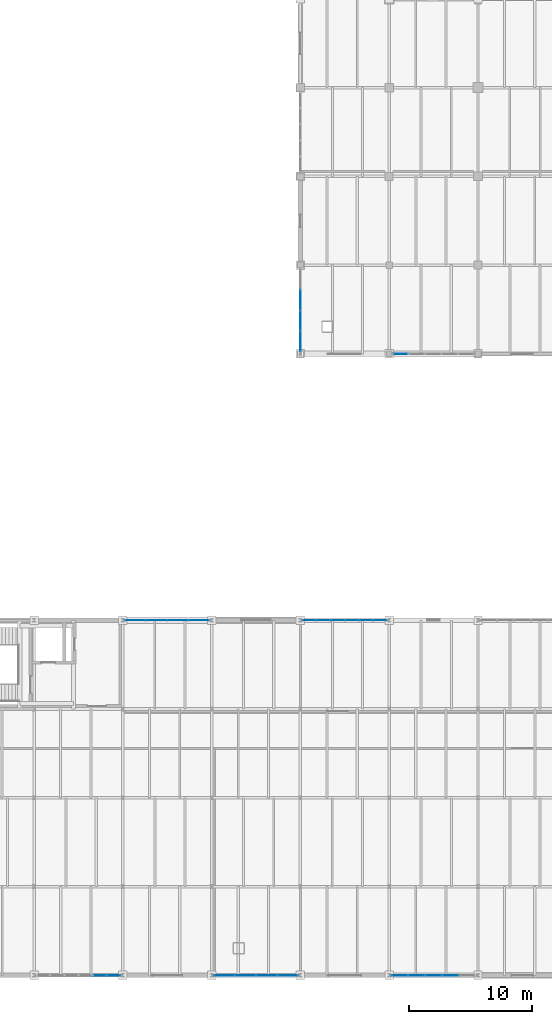
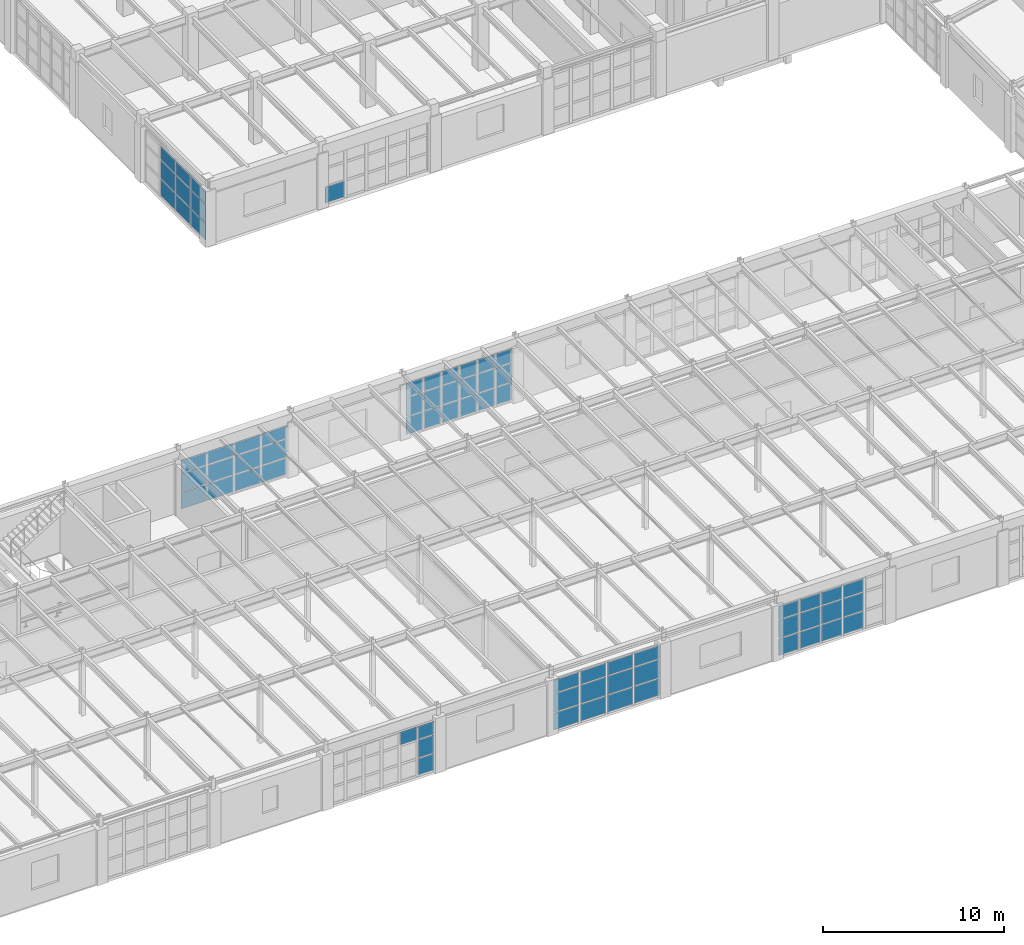
# One storey, part 112 of 137: 68 plates, 7 elements without a shape of their own.
"""IFC4 building model written with IfcOpenShell, lengths in metres."""

import ifcopenshell
import ifcopenshell.guid

model = None  # the IFC model being written
_history = None  # IfcOwnerHistory: only IFC2X3 demands one
_inside = {}  # id of a spatial element -> (the spatial element, [elements in it])
_under = {}  # id of a project, library or spatial element -> (it, [spatial elements below it])
_declared = {}  # id of a project -> (the project, [libraries it declares])
_typed = {}  # id of a type object -> (the type object, [elements of that type])
_made_of = {}  # id of a material, layer set ... -> (it, [elements and type objects made of it])


def new_model(schema):
    """Start an empty IFC model of exactly this schema.

    Asked for "IFC4X3", IfcOpenShell would pick the latest addendum, in which some entities
    have other attributes; the version numbers below select the first issue.
    IFC2X3 requires an IfcOwnerHistory on every rooted entity: one is made here for all.
    """
    global model, _history
    if schema == "IFC4X3":
        model = ifcopenshell.file(schema_version=(4, 3, 0, 0))
    else:
        model = ifcopenshell.file(schema=schema)
    _inside.clear()
    _under.clear()
    _declared.clear()
    _typed.clear()
    _made_of.clear()
    _history = None
    if model.schema == "IFC2X3":
        org = make("IfcOrganization", Name="unknown")
        user = make(
            "IfcPersonAndOrganization",
            ThePerson=make("IfcPerson", FamilyName="unknown"),
            TheOrganization=org,
        )
        app = make(
            "IfcApplication",
            ApplicationDeveloper=org,
            Version="unknown",
            ApplicationFullName="unknown",
            ApplicationIdentifier="unknown",
        )
        _history = make(
            "IfcOwnerHistory",
            OwningUser=user,
            OwningApplication=app,
            ChangeAction="ADDED",
            CreationDate=0,
        )
    return model


def make(cls, **values):
    """One entity of the class cls with the attributes given. An attribute that is None is left unset."""
    return model.create_entity(
        cls, **{name: value for name, value in values.items() if value is not None}
    )


def rooted(cls, **values):
    """An entity with a GlobalId (a new one), such as an element, a storey or a relation."""
    return make(cls, GlobalId=ifcopenshell.guid.new(), OwnerHistory=_history, **values)


def si_unit(unit_type, name, prefix=None):
    """IfcSIUnit, for example si_unit("LENGTHUNIT", "METRE", prefix="MILLI")."""
    return make("IfcSIUnit", UnitType=unit_type, Prefix=prefix, Name=name)


def assignment(units):
    """IfcUnitAssignment: the units of a project."""
    return None if units is None else make("IfcUnitAssignment", Units=units)


def point(xyz):
    """IfcCartesianPoint."""
    return None if xyz is None else make("IfcCartesianPoint", Coordinates=xyz)


def direction(xyz):
    """IfcDirection."""
    return None if xyz is None else make("IfcDirection", DirectionRatios=xyz)


def frame(location, z_axis=None, x_axis=None):
    """IfcAxis2Placement3D, a coordinate frame: its origin and axes. An axis left out is left unset."""
    return make(
        "IfcAxis2Placement3D",
        Location=point(location),
        Axis=direction(z_axis),
        RefDirection=direction(x_axis),
    )


def frame_2d(location, x_axis=None):
    """IfcAxis2Placement2D, a coordinate frame in the plane: its origin and x axis."""
    return make(
        "IfcAxis2Placement2D", Location=point(location), RefDirection=direction(x_axis)
    )


def origin():
    """The frame at (0, 0, 0) with its axes left unset."""
    return frame((0.0, 0.0, 0.0))


def origin_2d():
    """The frame at (0, 0) in the plane with its x axis left unset."""
    return frame_2d((0.0, 0.0))


def place(relative_to, where):
    """IfcLocalPlacement: puts the frame where relative to a parent placement (None: the world)."""
    return make(
        "IfcLocalPlacement", PlacementRelTo=relative_to, RelativePlacement=where
    )


def context(
    kind, dimensions, precision=None, world=None, true_north=None, identifier=None
):
    """IfcGeometricRepresentationContext, for example the 3D "Model" context."""
    return make(
        "IfcGeometricRepresentationContext",
        ContextIdentifier=identifier,
        ContextType=kind,
        CoordinateSpaceDimension=dimensions,
        Precision=precision,
        WorldCoordinateSystem=world,
        TrueNorth=true_north,
    )


def subcontext(parent, identifier, kind, view, scale=None):
    """IfcGeometricRepresentationSubContext, for example "Body" below "Model"."""
    return make(
        "IfcGeometricRepresentationSubContext",
        ContextIdentifier=identifier,
        ContextType=kind,
        ParentContext=parent,
        TargetScale=scale,
        TargetView=view,
    )


def project(units=None, contexts=None):
    """IfcProject with its units and contexts."""
    return rooted(
        "IfcProject",
        Name="project",
        RepresentationContexts=contexts,
        UnitsInContext=assignment(units),
    )


def spatial(cls, under=None, at=None, **own):
    """A site, building, storey or space (cls), placed at a placement, below another one or the project."""
    s = rooted(cls, ObjectPlacement=at, **own)
    if under is not None:
        _under.setdefault(under.id(), (under, []))[1].append(s)
    return s


def profile(cls, at=None, kind="AREA", **sizes):
    """A parametric profile (cls). Its sizes go by their IFC names, for example OverallWidth=200.0."""
    return make(cls, ProfileType=kind, Position=at, **sizes)


def rectangle(**sizes):
    """IfcRectangleProfileDef."""
    return profile("IfcRectangleProfileDef", **sizes)


def extrude(swept, where, along, depth):
    """IfcExtrudedAreaSolid: the profile swept, set in the frame where, extruded along a direction by depth."""
    return make(
        "IfcExtrudedAreaSolid",
        SweptArea=swept,
        Position=where,
        ExtrudedDirection=direction(along),
        Depth=depth,
    )


def shape(context_of_items, identifier, shape_type, items):
    """IfcShapeRepresentation: the items that make up one representation, for example the "Body"."""
    return make(
        "IfcShapeRepresentation",
        ContextOfItems=context_of_items,
        RepresentationIdentifier=identifier,
        RepresentationType=shape_type,
        Items=items,
    )


def material(Name=None, Category=None):
    """IfcMaterial."""
    return make("IfcMaterial", Name=Name, Category=Category)


def layer(
    of_material, thickness, ventilated=None, Name=None, Category=None, Priority=None
):
    """IfcMaterialLayer: one layer of a wall or slab, of a material (None: an air gap)."""
    return make(
        "IfcMaterialLayer",
        Material=of_material,
        LayerThickness=thickness,
        IsVentilated=ventilated,
        Name=Name,
        Category=Category,
        Priority=Priority,
    )


def layer_set(layers, Name=None):
    """IfcMaterialLayerSet."""
    return make("IfcMaterialLayerSet", MaterialLayers=layers, LayerSetName=Name)


def made_of(thing, what):
    """Note that an element or type object is made of a material, layer set ...; save() writes the relation."""
    if what is not None:
        _made_of.setdefault(what.id(), (what, []))[1].append(thing)
    return thing


def type_object(cls, material=None, **own):
    """A type object (cls), such as IfcWallType, which elements share."""
    return made_of(rooted(cls, **own), material)


def element(
    cls,
    number,
    at=None,
    inside=None,
    cuts=None,
    type_object=None,
    material=None,
    context=None,
    identifier="Body",
    shape_type=None,
    held_by="IfcProductDefinitionShape",
    body=None,
    shapes=None,
    **own,
):
    """One element of the class cls, such as IfcWall. Its Tag is "e" and its number.

    at: its placement. inside: the storey or other place that contains it. cuts: it is an
    opening in that element (IfcRelVoidsElement). A single representation is given by context,
    identifier, shape_type and body (its items); several are given by shapes. held_by: the class
    of the entity that holds the representations. save() writes the other relations.
    """
    e = rooted(cls, Tag="e%d" % number, ObjectPlacement=at, **own)
    if body is not None:
        shapes = [shape(context, identifier, shape_type, body)]
    if shapes is not None:
        e.Representation = make(held_by, Representations=shapes)
    if inside is not None:
        _inside.setdefault(inside.id(), (inside, []))[1].append(e)
    if cuts is not None:
        rooted(
            "IfcRelVoidsElement", RelatingBuildingElement=cuts, RelatedOpeningElement=e
        )
    if type_object is not None:
        _typed.setdefault(type_object.id(), (type_object, []))[1].append(e)
    return made_of(e, material)


def aggregate(whole, parts):
    """IfcRelAggregates: a whole, such as a stair, and the parts it consists of."""
    return rooted("IfcRelAggregates", RelatingObject=whole, RelatedObjects=parts)


def save(model, path):
    """Write the relations noted so far, then the file.

    IfcRelAggregates (storeys below a building ...), IfcRelContainedInSpatialStructure (elements
    in a storey), IfcRelDefinesByType, IfcRelAssociatesMaterial and IfcRelDeclares: one each for
    every whole, place, type object, material and project.
    """
    for whole, parts in _under.values():
        aggregate(whole, parts)
    for where, things in _inside.values():
        rooted(
            "IfcRelContainedInSpatialStructure",
            RelatedElements=things,
            RelatingStructure=where,
        )
    for kind, things in _typed.values():
        rooted("IfcRelDefinesByType", RelatedObjects=things, RelatingType=kind)
    for what, things in _made_of.values():
        rooted("IfcRelAssociatesMaterial", RelatedObjects=things, RelatingMaterial=what)
    for by, libraries in _declared.values():
        rooted("IfcRelDeclares", RelatingContext=by, RelatedDefinitions=libraries)
    model.write(path)


model = new_model("IFC4")

# Units and contexts
model_context = context("Model", 3, precision=1e-05, world=origin(), true_north=direction((0.0, 1.0)))
body_context = subcontext(model_context, "Body", "Model", "MODEL_VIEW")
ifc_project = project(units=[si_unit("LENGTHUNIT", "METRE"), si_unit("AREAUNIT", "SQUARE_METRE"), si_unit("VOLUMEUNIT", "CUBIC_METRE"), si_unit("PLANEANGLEUNIT", "RADIAN"), si_unit("MASSUNIT", "GRAM", prefix="KILO")], contexts=[model_context])

# Site, building, storey
site_placement = place(None, origin())
site = spatial("IfcSite", under=ifc_project, at=site_placement, CompositionType="ELEMENT")
building_placement = place(site_placement, origin())
building = spatial("IfcBuilding", under=site, at=building_placement, Name="Kemerveld Promenade Tramway Depot", CompositionType="ELEMENT")
storey_placement = place(building_placement, frame((0.0, 0.0, 5.39990234375)))
storey = spatial("IfcBuildingStorey", under=building, at=storey_placement, Name="L01", CompositionType="ELEMENT", Elevation=5.39990234375)

# Curtain wall, plates
ifc_material_1 = material(Name="Bronze anodised aluminium and solar glass", Category="aluminium")
ifc_layer_1 = layer(ifc_material_1, 0.199951171875)
ifc_layer_set_1 = layer_set([ifc_layer_1], Name="CW-SYS-10")
curtain_wall_type_1 = type_object("IfcCurtainWallType", Name="CW-SYS-10", PredefinedType="USERDEFINED", material=ifc_layer_set_1)
curtain_wall_1_placement = place(storey_placement, origin())
curtain_wall_1 = element("IfcCurtainWall", 1, at=curtain_wall_1_placement, inside=storey, type_object=curtain_wall_type_1, Name="CW-L01-V4S-07", ObjectType="GLAZED_CURTAIN_WALL", PredefinedType="USERDEFINED")
ifc_material_2 = material(Name="Solar-control laminated double glazing", Category="glass")
ifc_layer_2 = layer(ifc_material_2, 0.028076171875)
ifc_layer_set_2 = layer_set([ifc_layer_2], Name="CW-PNL-02")
plate_type_1 = type_object("IfcPlateType", Name="CW-PNL-02", PredefinedType="CURTAIN_PANEL", material=ifc_layer_set_2)
plate_1_placement = place(storey_placement, frame((114.168701171875, 0.0, 0.065185546875), z_axis=(0.0, 0.0, 1.0), x_axis=(-1.0, 0.0, 0.0)))
plate_1 = element("IfcPlate", 2, at=plate_1_placement, type_object=plate_type_1, Name="CW10 panel 1.1", PredefinedType="CURTAIN_PANEL", context=body_context, shape_type="SweptSolid", body=[
    extrude(rectangle(XDim=1.612548828125, YDim=0.028076171875, at=origin_2d()), origin(), (0.0, 0.0, 1.0), 1.12841796875),
])
plate_2_placement = place(storey_placement, frame((114.168701171875, 0.0, 1.258544921875), z_axis=(0.0, 0.0, 1.0), x_axis=(-1.0, 0.0, 0.0)))
plate_2 = element("IfcPlate", 3, at=plate_2_placement, type_object=plate_type_1, Name="CW10 panel 1.2", PredefinedType="CURTAIN_PANEL", context=body_context, shape_type="SweptSolid", body=[
    extrude(rectangle(XDim=1.612548828125, YDim=0.028076171875, at=origin_2d()), origin(), (0.0, 0.0, 1.0), 1.23095703125),
])
plate_3_placement = place(storey_placement, frame((114.168701171875, 0.0, 2.5546875), z_axis=(0.0, 0.0, 1.0), x_axis=(-1.0, 0.0, 0.0)))
plate_3 = element("IfcPlate", 4, at=plate_3_placement, type_object=plate_type_1, Name="CW10 panel 1.3", PredefinedType="CURTAIN_PANEL", context=body_context, shape_type="SweptSolid", body=[
    extrude(rectangle(XDim=1.612548828125, YDim=0.028076171875, at=origin_2d()), origin(), (0.0, 0.0, 1.0), 0.88330078125),
])
plate_4_placement = place(storey_placement, frame((112.46240234375, 0.0, 0.065185546875), z_axis=(0.0, 0.0, 1.0), x_axis=(-1.0, 0.0, 0.0)))
plate_4 = element("IfcPlate", 5, at=plate_4_placement, type_object=plate_type_1, Name="CW10 panel 2.1", PredefinedType="CURTAIN_PANEL", context=body_context, shape_type="SweptSolid", body=[
    extrude(rectangle(XDim=1.64990234375, YDim=0.028076171875, at=origin_2d()), origin(), (0.0, 0.0, 1.0), 1.12841796875),
])
plate_5_placement = place(storey_placement, frame((112.46240234375, 0.0, 1.258544921875), z_axis=(0.0, 0.0, 1.0), x_axis=(-1.0, 0.0, 0.0)))
plate_5 = element("IfcPlate", 6, at=plate_5_placement, type_object=plate_type_1, Name="CW10 panel 2.2", PredefinedType="CURTAIN_PANEL", context=body_context, shape_type="SweptSolid", body=[
    extrude(rectangle(XDim=1.64990234375, YDim=0.028076171875, at=origin_2d()), origin(), (0.0, 0.0, 1.0), 1.23095703125),
])
plate_6_placement = place(storey_placement, frame((112.46240234375, 0.0, 2.5546875), z_axis=(0.0, 0.0, 1.0), x_axis=(-1.0, 0.0, 0.0)))
plate_6 = element("IfcPlate", 7, at=plate_6_placement, type_object=plate_type_1, Name="CW10 panel 2.3", PredefinedType="CURTAIN_PANEL", context=body_context, shape_type="SweptSolid", body=[
    extrude(rectangle(XDim=1.64990234375, YDim=0.028076171875, at=origin_2d()), origin(), (0.0, 0.0, 1.0), 0.88330078125),
])
plate_7_placement = place(storey_placement, frame((110.737548828125, 0.0, 0.065185546875), z_axis=(0.0, 0.0, 1.0), x_axis=(-1.0, 0.0, 0.0)))
plate_7 = element("IfcPlate", 8, at=plate_7_placement, type_object=plate_type_1, Name="CW10 panel 3.1", PredefinedType="CURTAIN_PANEL", context=body_context, shape_type="SweptSolid", body=[
    extrude(rectangle(XDim=1.64990234375, YDim=0.028076171875, at=origin_2d()), origin(), (0.0, 0.0, 1.0), 1.12841796875),
])
plate_8_placement = place(storey_placement, frame((110.737548828125, 0.0, 1.258544921875), z_axis=(0.0, 0.0, 1.0), x_axis=(-1.0, 0.0, 0.0)))
plate_8 = element("IfcPlate", 9, at=plate_8_placement, type_object=plate_type_1, Name="CW10 panel 3.2", PredefinedType="CURTAIN_PANEL", context=body_context, shape_type="SweptSolid", body=[
    extrude(rectangle(XDim=1.64990234375, YDim=0.028076171875, at=origin_2d()), origin(), (0.0, 0.0, 1.0), 1.23095703125),
])
plate_9_placement = place(storey_placement, frame((110.737548828125, 0.0, 2.5546875), z_axis=(0.0, 0.0, 1.0), x_axis=(-1.0, 0.0, 0.0)))
plate_9 = element("IfcPlate", 10, at=plate_9_placement, type_object=plate_type_1, Name="CW10 panel 3.3", PredefinedType="CURTAIN_PANEL", context=body_context, shape_type="SweptSolid", body=[
    extrude(rectangle(XDim=1.64990234375, YDim=0.028076171875, at=origin_2d()), origin(), (0.0, 0.0, 1.0), 0.88330078125),
])
plate_10_placement = place(storey_placement, frame((109.03125, 0.0, 0.065185546875), z_axis=(0.0, 0.0, 1.0), x_axis=(-1.0, 0.0, 0.0)))
plate_10 = element("IfcPlate", 11, at=plate_10_placement, type_object=plate_type_1, Name="CW10 panel 4.1", PredefinedType="CURTAIN_PANEL", context=body_context, shape_type="SweptSolid", body=[
    extrude(rectangle(XDim=1.612548828125, YDim=0.028076171875, at=origin_2d()), origin(), (0.0, 0.0, 1.0), 1.12841796875),
])
plate_11_placement = place(storey_placement, frame((109.03125, 0.0, 1.258544921875), z_axis=(0.0, 0.0, 1.0), x_axis=(-1.0, 0.0, 0.0)))
plate_11 = element("IfcPlate", 12, at=plate_11_placement, type_object=plate_type_1, Name="CW10 panel 4.2", PredefinedType="CURTAIN_PANEL", context=body_context, shape_type="SweptSolid", body=[
    extrude(rectangle(XDim=1.612548828125, YDim=0.028076171875, at=origin_2d()), origin(), (0.0, 0.0, 1.0), 1.23095703125),
])
plate_12_placement = place(storey_placement, frame((109.03125, 0.0, 2.5546875), z_axis=(0.0, 0.0, 1.0), x_axis=(-1.0, 0.0, 0.0)))
plate_12 = element("IfcPlate", 13, at=plate_12_placement, type_object=plate_type_1, Name="CW10 panel 4.3", PredefinedType="CURTAIN_PANEL", context=body_context, shape_type="SweptSolid", body=[
    extrude(rectangle(XDim=1.612548828125, YDim=0.028076171875, at=origin_2d()), origin(), (0.0, 0.0, 1.0), 0.88330078125),
])
aggregate(curtain_wall_1, [plate_1, plate_2, plate_3, plate_4, plate_5, plate_6, plate_7, plate_8, plate_9, plate_10, plate_11, plate_12])

curtain_wall_2_placement = place(storey_placement, origin())
curtain_wall_2 = element("IfcCurtainWall", 14, at=curtain_wall_2_placement, inside=storey, type_object=curtain_wall_type_1, Name="CW-L01-V4N-07", ObjectType="GLAZED_CURTAIN_WALL", PredefinedType="USERDEFINED")
plate_13_placement = place(storey_placement, frame((101.831298828125, 28.800048828125, 0.065185546875), z_axis=(0.0, 0.0, 1.0), x_axis=(1.0, 0.0, 0.0)))
plate_13 = element("IfcPlate", 15, at=plate_13_placement, type_object=plate_type_1, Name="CW10 panel 1.1", PredefinedType="CURTAIN_PANEL", context=body_context, shape_type="SweptSolid", body=[
    extrude(rectangle(XDim=1.612548828125, YDim=0.028076171875, at=origin_2d()), origin(), (0.0, 0.0, 1.0), 1.103515625),
])
plate_14_placement = place(storey_placement, frame((101.831298828125, 28.800048828125, 1.233642578125), z_axis=(0.0, 0.0, 1.0), x_axis=(1.0, 0.0, 0.0)))
plate_14 = element("IfcPlate", 16, at=plate_14_placement, type_object=plate_type_1, Name="CW10 panel 1.2", PredefinedType="CURTAIN_PANEL", context=body_context, shape_type="SweptSolid", body=[
    extrude(rectangle(XDim=1.612548828125, YDim=0.028076171875, at=origin_2d()), origin(), (0.0, 0.0, 1.0), 1.2041015625),
])
plate_15_placement = place(storey_placement, frame((101.831298828125, 28.800048828125, 2.50244140625), z_axis=(0.0, 0.0, 1.0), x_axis=(1.0, 0.0, 0.0)))
plate_15 = element("IfcPlate", 17, at=plate_15_placement, type_object=plate_type_1, Name="CW10 panel 1.3", PredefinedType="CURTAIN_PANEL", context=body_context, shape_type="SweptSolid", body=[
    extrude(rectangle(XDim=1.612548828125, YDim=0.028076171875, at=origin_2d()), origin(), (0.0, 0.0, 1.0), 0.862548828125),
])
plate_16_placement = place(storey_placement, frame((103.53759765625, 28.800048828125, 0.065185546875), z_axis=(0.0, 0.0, 1.0), x_axis=(1.0, 0.0, 0.0)))
plate_16 = element("IfcPlate", 18, at=plate_16_placement, type_object=plate_type_1, Name="CW10 panel 2.1", PredefinedType="CURTAIN_PANEL", context=body_context, shape_type="SweptSolid", body=[
    extrude(rectangle(XDim=1.64990234375, YDim=0.028076171875, at=origin_2d()), origin(), (0.0, 0.0, 1.0), 1.103515625),
])
plate_17_placement = place(storey_placement, frame((103.53759765625, 28.800048828125, 1.233642578125), z_axis=(0.0, 0.0, 1.0), x_axis=(1.0, 0.0, 0.0)))
plate_17 = element("IfcPlate", 19, at=plate_17_placement, type_object=plate_type_1, Name="CW10 panel 2.2", PredefinedType="CURTAIN_PANEL", context=body_context, shape_type="SweptSolid", body=[
    extrude(rectangle(XDim=1.64990234375, YDim=0.028076171875, at=origin_2d()), origin(), (0.0, 0.0, 1.0), 1.2041015625),
])
plate_18_placement = place(storey_placement, frame((103.53759765625, 28.800048828125, 2.50244140625), z_axis=(0.0, 0.0, 1.0), x_axis=(1.0, 0.0, 0.0)))
plate_18 = element("IfcPlate", 20, at=plate_18_placement, type_object=plate_type_1, Name="CW10 panel 2.3", PredefinedType="CURTAIN_PANEL", context=body_context, shape_type="SweptSolid", body=[
    extrude(rectangle(XDim=1.64990234375, YDim=0.028076171875, at=origin_2d()), origin(), (0.0, 0.0, 1.0), 0.862548828125),
])
plate_19_placement = place(storey_placement, frame((105.262451171875, 28.800048828125, 0.065185546875), z_axis=(0.0, 0.0, 1.0), x_axis=(1.0, 0.0, 0.0)))
plate_19 = element("IfcPlate", 21, at=plate_19_placement, type_object=plate_type_1, Name="CW10 panel 3.1", PredefinedType="CURTAIN_PANEL", context=body_context, shape_type="SweptSolid", body=[
    extrude(rectangle(XDim=1.64990234375, YDim=0.028076171875, at=origin_2d()), origin(), (0.0, 0.0, 1.0), 1.103515625),
])
plate_20_placement = place(storey_placement, frame((105.262451171875, 28.800048828125, 1.233642578125), z_axis=(0.0, 0.0, 1.0), x_axis=(1.0, 0.0, 0.0)))
plate_20 = element("IfcPlate", 22, at=plate_20_placement, type_object=plate_type_1, Name="CW10 panel 3.2", PredefinedType="CURTAIN_PANEL", context=body_context, shape_type="SweptSolid", body=[
    extrude(rectangle(XDim=1.64990234375, YDim=0.028076171875, at=origin_2d()), origin(), (0.0, 0.0, 1.0), 1.2041015625),
])
plate_21_placement = place(storey_placement, frame((105.262451171875, 28.800048828125, 2.50244140625), z_axis=(0.0, 0.0, 1.0), x_axis=(1.0, 0.0, 0.0)))
plate_21 = element("IfcPlate", 23, at=plate_21_placement, type_object=plate_type_1, Name="CW10 panel 3.3", PredefinedType="CURTAIN_PANEL", context=body_context, shape_type="SweptSolid", body=[
    extrude(rectangle(XDim=1.64990234375, YDim=0.028076171875, at=origin_2d()), origin(), (0.0, 0.0, 1.0), 0.862548828125),
])
plate_22_placement = place(storey_placement, frame((106.96875, 28.800048828125, 0.065185546875), z_axis=(0.0, 0.0, 1.0), x_axis=(1.0, 0.0, 0.0)))
plate_22 = element("IfcPlate", 24, at=plate_22_placement, type_object=plate_type_1, Name="CW10 panel 4.1", PredefinedType="CURTAIN_PANEL", context=body_context, shape_type="SweptSolid", body=[
    extrude(rectangle(XDim=1.612548828125, YDim=0.028076171875, at=origin_2d()), origin(), (0.0, 0.0, 1.0), 1.103515625),
])
plate_23_placement = place(storey_placement, frame((106.96875, 28.800048828125, 1.233642578125), z_axis=(0.0, 0.0, 1.0), x_axis=(1.0, 0.0, 0.0)))
plate_23 = element("IfcPlate", 25, at=plate_23_placement, type_object=plate_type_1, Name="CW10 panel 4.2", PredefinedType="CURTAIN_PANEL", context=body_context, shape_type="SweptSolid", body=[
    extrude(rectangle(XDim=1.612548828125, YDim=0.028076171875, at=origin_2d()), origin(), (0.0, 0.0, 1.0), 1.2041015625),
])
plate_24_placement = place(storey_placement, frame((106.96875, 28.800048828125, 2.50244140625), z_axis=(0.0, 0.0, 1.0), x_axis=(1.0, 0.0, 0.0)))
plate_24 = element("IfcPlate", 26, at=plate_24_placement, type_object=plate_type_1, Name="CW10 panel 4.3", PredefinedType="CURTAIN_PANEL", context=body_context, shape_type="SweptSolid", body=[
    extrude(rectangle(XDim=1.612548828125, YDim=0.028076171875, at=origin_2d()), origin(), (0.0, 0.0, 1.0), 0.862548828125),
])
aggregate(curtain_wall_2, [plate_13, plate_14, plate_15, plate_16, plate_17, plate_18, plate_19, plate_20, plate_21, plate_22, plate_23, plate_24])

ifc_layer_3 = layer(ifc_material_1, 0.199951171875)
ifc_layer_set_3 = layer_set([ifc_layer_3], Name="CW-SYS-12")
curtain_wall_type_2 = type_object("IfcCurtainWallType", Name="CW-SYS-12", PredefinedType="USERDEFINED", material=ifc_layer_set_3)
curtain_wall_3_placement = place(storey_placement, origin())
curtain_wall_3 = element("IfcCurtainWall", 27, at=curtain_wall_3_placement, inside=storey, type_object=curtain_wall_type_2, Name="CW-L01-V4S-09", ObjectType="GLAZED_CURTAIN_WALL", PredefinedType="USERDEFINED")
ifc_layer_4 = layer(ifc_material_2, 0.031982421875)
ifc_layer_set_4 = layer_set([ifc_layer_4], Name="CW-PNL-04")
plate_type_2 = type_object("IfcPlateType", Name="CW-PNL-04", PredefinedType="CURTAIN_PANEL", material=ifc_layer_set_4)
plate_25_placement = place(storey_placement, frame((100.05615234375, 0.0, 0.06494140625), z_axis=(0.0, 0.0, 1.0), x_axis=(-1.0, 0.0, 0.0)))
plate_25 = element("IfcPlate", 28, at=plate_25_placement, type_object=plate_type_2, Name="CW12 panel 1.1", PredefinedType="CURTAIN_PANEL", context=body_context, shape_type="SweptSolid", body=[
    extrude(rectangle(XDim=1.037353515625, YDim=0.031982421875, at=origin_2d()), origin(), (0.0, 0.0, 1.0), 1.097412109375),
])
plate_26_placement = place(storey_placement, frame((100.05615234375, 0.0, 1.2275390625), z_axis=(0.0, 0.0, 1.0), x_axis=(-1.0, 0.0, 0.0)))
plate_26 = element("IfcPlate", 29, at=plate_26_placement, type_object=plate_type_2, Name="CW12 panel 1.2", PredefinedType="CURTAIN_PANEL", context=body_context, shape_type="SweptSolid", body=[
    extrude(rectangle(XDim=1.037353515625, YDim=0.031982421875, at=origin_2d()), origin(), (0.0, 0.0, 1.0), 1.197998046875),
])
plate_27_placement = place(storey_placement, frame((100.05615234375, 0.0, 2.49072265625), z_axis=(0.0, 0.0, 1.0), x_axis=(-1.0, 0.0, 0.0)))
plate_27 = element("IfcPlate", 30, at=plate_27_placement, type_object=plate_type_2, Name="CW12 panel 1.3", PredefinedType="CURTAIN_PANEL", context=body_context, shape_type="SweptSolid", body=[
    extrude(rectangle(XDim=1.037353515625, YDim=0.031982421875, at=origin_2d()), origin(), (0.0, 0.0, 1.0), 0.858642578125),
])
plate_28_placement = place(storey_placement, frame((98.925048828125, 0.0, 2.49072265625), z_axis=(0.0, 0.0, 1.0), x_axis=(-1.0, 0.0, 0.0)))
plate_28 = element("IfcPlate", 31, at=plate_28_placement, type_object=plate_type_2, Name="CW12 panel 2.3", PredefinedType="CURTAIN_PANEL", context=body_context, shape_type="SweptSolid", body=[
    extrude(rectangle(XDim=1.074951171875, YDim=0.031982421875, at=origin_2d()), origin(), (0.0, 0.0, 1.0), 0.858642578125),
])
aggregate(curtain_wall_3, [plate_25, plate_26, plate_27, plate_28])

curtain_wall_4_placement = place(storey_placement, origin())
curtain_wall_4 = element("IfcCurtainWall", 32, at=curtain_wall_4_placement, inside=storey, type_object=curtain_wall_type_2, Name="CW-L01-V4N-09", ObjectType="GLAZED_CURTAIN_WALL", PredefinedType="USERDEFINED")
plate_29_placement = place(storey_placement, frame((115.94384765625, 28.800048828125, 0.06494140625), z_axis=(0.0, 0.0, 1.0), x_axis=(1.0, 0.0, 0.0)))
plate_29 = element("IfcPlate", 33, at=plate_29_placement, type_object=plate_type_2, Name="CW12 panel 1.1", PredefinedType="CURTAIN_PANEL", context=body_context, shape_type="SweptSolid", body=[
    extrude(rectangle(XDim=1.037353515625, YDim=0.031982421875, at=origin_2d()), origin(), (0.0, 0.0, 1.0), 1.155517578125),
])
plate_30_placement = place(storey_placement, frame((115.94384765625, 28.800048828125, 1.28564453125), z_axis=(0.0, 0.0, 1.0), x_axis=(1.0, 0.0, 0.0)))
plate_30 = element("IfcPlate", 34, at=plate_30_placement, type_object=plate_type_2, Name="CW12 panel 1.2", PredefinedType="CURTAIN_PANEL", context=body_context, shape_type="SweptSolid", body=[
    extrude(rectangle(XDim=1.037353515625, YDim=0.031982421875, at=origin_2d()), origin(), (0.0, 0.0, 1.0), 1.260009765625),
])
plate_31_placement = place(storey_placement, frame((115.94384765625, 28.800048828125, 2.6103515625), z_axis=(0.0, 0.0, 1.0), x_axis=(1.0, 0.0, 0.0)))
plate_31 = element("IfcPlate", 35, at=plate_31_placement, type_object=plate_type_2, Name="CW12 panel 1.3", PredefinedType="CURTAIN_PANEL", context=body_context, shape_type="SweptSolid", body=[
    extrude(rectangle(XDim=1.037353515625, YDim=0.031982421875, at=origin_2d()), origin(), (0.0, 0.0, 1.0), 0.904541015625),
])
plate_32_placement = place(storey_placement, frame((117.074951171875, 28.800048828125, 0.06494140625), z_axis=(0.0, 0.0, 1.0), x_axis=(1.0, 0.0, 0.0)))
plate_32 = element("IfcPlate", 36, at=plate_32_placement, type_object=plate_type_2, Name="CW12 panel 2.1", PredefinedType="CURTAIN_PANEL", context=body_context, shape_type="SweptSolid", body=[
    extrude(rectangle(XDim=1.074951171875, YDim=0.031982421875, at=origin_2d()), origin(), (0.0, 0.0, 1.0), 1.155517578125),
])
plate_33_placement = place(storey_placement, frame((117.074951171875, 28.800048828125, 1.28564453125), z_axis=(0.0, 0.0, 1.0), x_axis=(1.0, 0.0, 0.0)))
plate_33 = element("IfcPlate", 37, at=plate_33_placement, type_object=plate_type_2, Name="CW12 panel 2.2", PredefinedType="CURTAIN_PANEL", context=body_context, shape_type="SweptSolid", body=[
    extrude(rectangle(XDim=1.074951171875, YDim=0.031982421875, at=origin_2d()), origin(), (0.0, 0.0, 1.0), 1.260009765625),
])
plate_34_placement = place(storey_placement, frame((117.074951171875, 28.800048828125, 2.6103515625), z_axis=(0.0, 0.0, 1.0), x_axis=(1.0, 0.0, 0.0)))
plate_34 = element("IfcPlate", 38, at=plate_34_placement, type_object=plate_type_2, Name="CW12 panel 2.3", PredefinedType="CURTAIN_PANEL", context=body_context, shape_type="SweptSolid", body=[
    extrude(rectangle(XDim=1.074951171875, YDim=0.031982421875, at=origin_2d()), origin(), (0.0, 0.0, 1.0), 0.904541015625),
])
plate_35_placement = place(storey_placement, frame((118.22509765625, 28.800048828125, 0.06494140625), z_axis=(0.0, 0.0, 1.0), x_axis=(1.0, 0.0, 0.0)))
plate_35 = element("IfcPlate", 39, at=plate_35_placement, type_object=plate_type_2, Name="CW12 panel 3.1", PredefinedType="CURTAIN_PANEL", context=body_context, shape_type="SweptSolid", body=[
    extrude(rectangle(XDim=1.074951171875, YDim=0.031982421875, at=origin_2d()), origin(), (0.0, 0.0, 1.0), 1.155517578125),
])
plate_36_placement = place(storey_placement, frame((118.22509765625, 28.800048828125, 1.28564453125), z_axis=(0.0, 0.0, 1.0), x_axis=(1.0, 0.0, 0.0)))
plate_36 = element("IfcPlate", 40, at=plate_36_placement, type_object=plate_type_2, Name="CW12 panel 3.2", PredefinedType="CURTAIN_PANEL", context=body_context, shape_type="SweptSolid", body=[
    extrude(rectangle(XDim=1.074951171875, YDim=0.031982421875, at=origin_2d()), origin(), (0.0, 0.0, 1.0), 1.260009765625),
])
plate_37_placement = place(storey_placement, frame((118.22509765625, 28.800048828125, 2.6103515625), z_axis=(0.0, 0.0, 1.0), x_axis=(1.0, 0.0, 0.0)))
plate_37 = element("IfcPlate", 41, at=plate_37_placement, type_object=plate_type_2, Name="CW12 panel 3.3", PredefinedType="CURTAIN_PANEL", context=body_context, shape_type="SweptSolid", body=[
    extrude(rectangle(XDim=1.074951171875, YDim=0.031982421875, at=origin_2d()), origin(), (0.0, 0.0, 1.0), 0.904541015625),
])
plate_38_placement = place(storey_placement, frame((119.375, 28.800048828125, 0.06494140625), z_axis=(0.0, 0.0, 1.0), x_axis=(1.0, 0.0, 0.0)))
plate_38 = element("IfcPlate", 42, at=plate_38_placement, type_object=plate_type_2, Name="CW12 panel 4.1", PredefinedType="CURTAIN_PANEL", context=body_context, shape_type="SweptSolid", body=[
    extrude(rectangle(XDim=1.074951171875, YDim=0.031982421875, at=origin_2d()), origin(), (0.0, 0.0, 1.0), 1.155517578125),
])
plate_39_placement = place(storey_placement, frame((119.375, 28.800048828125, 1.28564453125), z_axis=(0.0, 0.0, 1.0), x_axis=(1.0, 0.0, 0.0)))
plate_39 = element("IfcPlate", 43, at=plate_39_placement, type_object=plate_type_2, Name="CW12 panel 4.2", PredefinedType="CURTAIN_PANEL", context=body_context, shape_type="SweptSolid", body=[
    extrude(rectangle(XDim=1.074951171875, YDim=0.031982421875, at=origin_2d()), origin(), (0.0, 0.0, 1.0), 1.260009765625),
])
plate_40_placement = place(storey_placement, frame((119.375, 28.800048828125, 2.6103515625), z_axis=(0.0, 0.0, 1.0), x_axis=(1.0, 0.0, 0.0)))
plate_40 = element("IfcPlate", 44, at=plate_40_placement, type_object=plate_type_2, Name="CW12 panel 4.3", PredefinedType="CURTAIN_PANEL", context=body_context, shape_type="SweptSolid", body=[
    extrude(rectangle(XDim=1.074951171875, YDim=0.031982421875, at=origin_2d()), origin(), (0.0, 0.0, 1.0), 0.904541015625),
])
plate_41_placement = place(storey_placement, frame((120.52490234375, 28.800048828125, 0.06494140625), z_axis=(0.0, 0.0, 1.0), x_axis=(1.0, 0.0, 0.0)))
plate_41 = element("IfcPlate", 45, at=plate_41_placement, type_object=plate_type_2, Name="CW12 panel 5.1", PredefinedType="CURTAIN_PANEL", context=body_context, shape_type="SweptSolid", body=[
    extrude(rectangle(XDim=1.074951171875, YDim=0.031982421875, at=origin_2d()), origin(), (0.0, 0.0, 1.0), 1.155517578125),
])
plate_42_placement = place(storey_placement, frame((120.52490234375, 28.800048828125, 1.28564453125), z_axis=(0.0, 0.0, 1.0), x_axis=(1.0, 0.0, 0.0)))
plate_42 = element("IfcPlate", 46, at=plate_42_placement, type_object=plate_type_2, Name="CW12 panel 5.2", PredefinedType="CURTAIN_PANEL", context=body_context, shape_type="SweptSolid", body=[
    extrude(rectangle(XDim=1.074951171875, YDim=0.031982421875, at=origin_2d()), origin(), (0.0, 0.0, 1.0), 1.260009765625),
])
plate_43_placement = place(storey_placement, frame((120.52490234375, 28.800048828125, 2.6103515625), z_axis=(0.0, 0.0, 1.0), x_axis=(1.0, 0.0, 0.0)))
plate_43 = element("IfcPlate", 47, at=plate_43_placement, type_object=plate_type_2, Name="CW12 panel 5.3", PredefinedType="CURTAIN_PANEL", context=body_context, shape_type="SweptSolid", body=[
    extrude(rectangle(XDim=1.074951171875, YDim=0.031982421875, at=origin_2d()), origin(), (0.0, 0.0, 1.0), 0.904541015625),
])
plate_44_placement = place(storey_placement, frame((121.65625, 28.800048828125, 0.06494140625), z_axis=(0.0, 0.0, 1.0), x_axis=(1.0, 0.0, 0.0)))
plate_44 = element("IfcPlate", 48, at=plate_44_placement, type_object=plate_type_2, Name="CW12 panel 6.1", PredefinedType="CURTAIN_PANEL", context=body_context, shape_type="SweptSolid", body=[
    extrude(rectangle(XDim=1.037353515625, YDim=0.031982421875, at=origin_2d()), origin(), (0.0, 0.0, 1.0), 1.155517578125),
])
plate_45_placement = place(storey_placement, frame((121.65625, 28.800048828125, 1.28564453125), z_axis=(0.0, 0.0, 1.0), x_axis=(1.0, 0.0, 0.0)))
plate_45 = element("IfcPlate", 49, at=plate_45_placement, type_object=plate_type_2, Name="CW12 panel 6.2", PredefinedType="CURTAIN_PANEL", context=body_context, shape_type="SweptSolid", body=[
    extrude(rectangle(XDim=1.037353515625, YDim=0.031982421875, at=origin_2d()), origin(), (0.0, 0.0, 1.0), 1.260009765625),
])
plate_46_placement = place(storey_placement, frame((121.65625, 28.800048828125, 2.6103515625), z_axis=(0.0, 0.0, 1.0), x_axis=(1.0, 0.0, 0.0)))
plate_46 = element("IfcPlate", 50, at=plate_46_placement, type_object=plate_type_2, Name="CW12 panel 6.3", PredefinedType="CURTAIN_PANEL", context=body_context, shape_type="SweptSolid", body=[
    extrude(rectangle(XDim=1.037353515625, YDim=0.031982421875, at=origin_2d()), origin(), (0.0, 0.0, 1.0), 0.904541015625),
])
aggregate(curtain_wall_4, [plate_29, plate_30, plate_31, plate_32, plate_33, plate_34, plate_35, plate_36, plate_37, plate_38, plate_39, plate_40, plate_41, plate_42, plate_43, plate_44, plate_45, plate_46])

ifc_layer_5 = layer(ifc_material_1, 0.199951171875)
ifc_layer_set_5 = layer_set([ifc_layer_5], Name="CW-SYS-04")
curtain_wall_type_3 = type_object("IfcCurtainWallType", Name="CW-SYS-04", PredefinedType="USERDEFINED", material=ifc_layer_set_5)
curtain_wall_5_placement = place(storey_placement, origin())
curtain_wall_5 = element("IfcCurtainWall", 51, at=curtain_wall_5_placement, inside=storey, type_object=curtain_wall_type_3, Name="CW-L01-V3W-01", ObjectType="GLAZED_CURTAIN_WALL", PredefinedType="USERDEFINED")
plate_47_placement = place(storey_placement, frame((115.199951171875, 51.411865234375, 0.06494140625), z_axis=(0.0, 0.0, 1.0), x_axis=(0.0, 1.0, 0.0)))
plate_47 = element("IfcPlate", 52, at=plate_47_placement, type_object=plate_type_2, Name="CW04 panel 1.1", PredefinedType="CURTAIN_PANEL", context=body_context, shape_type="SweptSolid", body=[
    extrude(rectangle(XDim=1.583740234375, YDim=0.031982421875, at=origin_2d()), origin(), (0.0, 0.0, 1.0), 1.116455078125),
])
plate_48_placement = place(storey_placement, frame((115.199951171875, 51.411865234375, 1.24658203125), z_axis=(0.0, 0.0, 1.0), x_axis=(0.0, 1.0, 0.0)))
plate_48 = element("IfcPlate", 53, at=plate_48_placement, type_object=plate_type_2, Name="CW04 panel 1.2", PredefinedType="CURTAIN_PANEL", context=body_context, shape_type="SweptSolid", body=[
    extrude(rectangle(XDim=1.583740234375, YDim=0.031982421875, at=origin_2d()), origin(), (0.0, 0.0, 1.0), 1.218994140625),
])
plate_49_placement = place(storey_placement, frame((115.199951171875, 51.411865234375, 2.530517578125), z_axis=(0.0, 0.0, 1.0), x_axis=(0.0, 1.0, 0.0)))
plate_49 = element("IfcPlate", 54, at=plate_49_placement, type_object=plate_type_2, Name="CW04 panel 1.3", PredefinedType="CURTAIN_PANEL", context=body_context, shape_type="SweptSolid", body=[
    extrude(rectangle(XDim=1.583740234375, YDim=0.031982421875, at=origin_2d()), origin(), (0.0, 0.0, 1.0), 0.87451171875),
])
plate_50_placement = place(storey_placement, frame((115.199951171875, 53.08935546875, 0.06494140625), z_axis=(0.0, 0.0, 1.0), x_axis=(0.0, 1.0, 0.0)))
plate_50 = element("IfcPlate", 55, at=plate_50_placement, type_object=plate_type_2, Name="CW04 panel 2.1", PredefinedType="CURTAIN_PANEL", context=body_context, shape_type="SweptSolid", body=[
    extrude(rectangle(XDim=1.621337890625, YDim=0.031982421875, at=origin_2d()), origin(), (0.0, 0.0, 1.0), 1.116455078125),
])
plate_51_placement = place(storey_placement, frame((115.199951171875, 53.08935546875, 1.24658203125), z_axis=(0.0, 0.0, 1.0), x_axis=(0.0, 1.0, 0.0)))
plate_51 = element("IfcPlate", 56, at=plate_51_placement, type_object=plate_type_2, Name="CW04 panel 2.2", PredefinedType="CURTAIN_PANEL", context=body_context, shape_type="SweptSolid", body=[
    extrude(rectangle(XDim=1.621337890625, YDim=0.031982421875, at=origin_2d()), origin(), (0.0, 0.0, 1.0), 1.218994140625),
])
plate_52_placement = place(storey_placement, frame((115.199951171875, 53.08935546875, 2.530517578125), z_axis=(0.0, 0.0, 1.0), x_axis=(0.0, 1.0, 0.0)))
plate_52 = element("IfcPlate", 57, at=plate_52_placement, type_object=plate_type_2, Name="CW04 panel 2.3", PredefinedType="CURTAIN_PANEL", context=body_context, shape_type="SweptSolid", body=[
    extrude(rectangle(XDim=1.621337890625, YDim=0.031982421875, at=origin_2d()), origin(), (0.0, 0.0, 1.0), 0.87451171875),
])
plate_53_placement = place(storey_placement, frame((115.199951171875, 54.78564453125, 0.06494140625), z_axis=(0.0, 0.0, 1.0), x_axis=(0.0, 1.0, 0.0)))
plate_53 = element("IfcPlate", 58, at=plate_53_placement, type_object=plate_type_2, Name="CW04 panel 3.1", PredefinedType="CURTAIN_PANEL", context=body_context, shape_type="SweptSolid", body=[
    extrude(rectangle(XDim=1.621337890625, YDim=0.031982421875, at=origin_2d()), origin(), (0.0, 0.0, 1.0), 1.116455078125),
])
plate_54_placement = place(storey_placement, frame((115.199951171875, 54.78564453125, 1.24658203125), z_axis=(0.0, 0.0, 1.0), x_axis=(0.0, 1.0, 0.0)))
plate_54 = element("IfcPlate", 59, at=plate_54_placement, type_object=plate_type_2, Name="CW04 panel 3.2", PredefinedType="CURTAIN_PANEL", context=body_context, shape_type="SweptSolid", body=[
    extrude(rectangle(XDim=1.621337890625, YDim=0.031982421875, at=origin_2d()), origin(), (0.0, 0.0, 1.0), 1.218994140625),
])
plate_55_placement = place(storey_placement, frame((115.199951171875, 54.78564453125, 2.530517578125), z_axis=(0.0, 0.0, 1.0), x_axis=(0.0, 1.0, 0.0)))
plate_55 = element("IfcPlate", 60, at=plate_55_placement, type_object=plate_type_2, Name="CW04 panel 3.3", PredefinedType="CURTAIN_PANEL", context=body_context, shape_type="SweptSolid", body=[
    extrude(rectangle(XDim=1.621337890625, YDim=0.031982421875, at=origin_2d()), origin(), (0.0, 0.0, 1.0), 0.87451171875),
])
aggregate(curtain_wall_5, [plate_47, plate_48, plate_49, plate_50, plate_51, plate_52, plate_53, plate_54, plate_55])

ifc_layer_6 = layer(ifc_material_1, 0.199951171875)
ifc_layer_set_6 = layer_set([ifc_layer_6], Name="CW-SYS-08")
curtain_wall_type_4 = type_object("IfcCurtainWallType", Name="CW-SYS-08", PredefinedType="USERDEFINED", material=ifc_layer_set_6)
curtain_wall_6_placement = place(storey_placement, origin())
curtain_wall_6 = element("IfcCurtainWall", 61, at=curtain_wall_6_placement, inside=storey, type_object=curtain_wall_type_4, Name="CW-L01-V4S-05", ObjectType="GLAZED_CURTAIN_WALL", PredefinedType="USERDEFINED")
ifc_layer_7 = layer(ifc_material_2, 0.028076171875)
ifc_layer_set_7 = layer_set([ifc_layer_7], Name="CW-PNL-08")
plate_type_3 = type_object("IfcPlateType", Name="CW-PNL-08", PredefinedType="CURTAIN_PANEL", material=ifc_layer_set_7)
plate_56_placement = place(storey_placement, frame((127.3798828125, 0.0, 0.065185546875), z_axis=(0.0, 0.0, 1.0), x_axis=(-1.0, 0.0, 0.0)))
plate_56 = element("IfcPlate", 62, at=plate_56_placement, type_object=plate_type_3, Name="CW08 panel 2.1", PredefinedType="CURTAIN_PANEL", context=body_context, shape_type="SweptSolid", body=[
    extrude(rectangle(XDim=1.304931640625, YDim=0.028076171875, at=origin_2d()), origin(), (0.0, 0.0, 1.0), 1.1064453125),
])
plate_57_placement = place(storey_placement, frame((127.3798828125, 0.0, 1.236572265625), z_axis=(0.0, 0.0, 1.0), x_axis=(-1.0, 0.0, 0.0)))
plate_57 = element("IfcPlate", 63, at=plate_57_placement, type_object=plate_type_3, Name="CW08 panel 2.2", PredefinedType="CURTAIN_PANEL", context=body_context, shape_type="SweptSolid", body=[
    extrude(rectangle(XDim=1.304931640625, YDim=0.028076171875, at=origin_2d()), origin(), (0.0, 0.0, 1.0), 1.2080078125),
])
plate_58_placement = place(storey_placement, frame((127.3798828125, 0.0, 2.509765625), z_axis=(0.0, 0.0, 1.0), x_axis=(-1.0, 0.0, 0.0)))
plate_58 = element("IfcPlate", 64, at=plate_58_placement, type_object=plate_type_3, Name="CW08 panel 2.3", PredefinedType="CURTAIN_PANEL", context=body_context, shape_type="SweptSolid", body=[
    extrude(rectangle(XDim=1.304931640625, YDim=0.028076171875, at=origin_2d()), origin(), (0.0, 0.0, 1.0), 0.865478515625),
])
plate_59_placement = place(storey_placement, frame((126.0, 0.0, 0.065185546875), z_axis=(0.0, 0.0, 1.0), x_axis=(-1.0, 0.0, 0.0)))
plate_59 = element("IfcPlate", 65, at=plate_59_placement, type_object=plate_type_3, Name="CW08 panel 3.1", PredefinedType="CURTAIN_PANEL", context=body_context, shape_type="SweptSolid", body=[
    extrude(rectangle(XDim=1.304931640625, YDim=0.028076171875, at=origin_2d()), origin(), (0.0, 0.0, 1.0), 1.1064453125),
])
plate_60_placement = place(storey_placement, frame((126.0, 0.0, 1.236572265625), z_axis=(0.0, 0.0, 1.0), x_axis=(-1.0, 0.0, 0.0)))
plate_60 = element("IfcPlate", 66, at=plate_60_placement, type_object=plate_type_3, Name="CW08 panel 3.2", PredefinedType="CURTAIN_PANEL", context=body_context, shape_type="SweptSolid", body=[
    extrude(rectangle(XDim=1.304931640625, YDim=0.028076171875, at=origin_2d()), origin(), (0.0, 0.0, 1.0), 1.2080078125),
])
plate_61_placement = place(storey_placement, frame((126.0, 0.0, 2.509765625), z_axis=(0.0, 0.0, 1.0), x_axis=(-1.0, 0.0, 0.0)))
plate_61 = element("IfcPlate", 67, at=plate_61_placement, type_object=plate_type_3, Name="CW08 panel 3.3", PredefinedType="CURTAIN_PANEL", context=body_context, shape_type="SweptSolid", body=[
    extrude(rectangle(XDim=1.304931640625, YDim=0.028076171875, at=origin_2d()), origin(), (0.0, 0.0, 1.0), 0.865478515625),
])
plate_62_placement = place(storey_placement, frame((124.6201171875, 0.0, 0.065185546875), z_axis=(0.0, 0.0, 1.0), x_axis=(-1.0, 0.0, 0.0)))
plate_62 = element("IfcPlate", 68, at=plate_62_placement, type_object=plate_type_3, Name="CW08 panel 4.1", PredefinedType="CURTAIN_PANEL", context=body_context, shape_type="SweptSolid", body=[
    extrude(rectangle(XDim=1.304931640625, YDim=0.028076171875, at=origin_2d()), origin(), (0.0, 0.0, 1.0), 1.1064453125),
])
plate_63_placement = place(storey_placement, frame((124.6201171875, 0.0, 1.236572265625), z_axis=(0.0, 0.0, 1.0), x_axis=(-1.0, 0.0, 0.0)))
plate_63 = element("IfcPlate", 69, at=plate_63_placement, type_object=plate_type_3, Name="CW08 panel 4.2", PredefinedType="CURTAIN_PANEL", context=body_context, shape_type="SweptSolid", body=[
    extrude(rectangle(XDim=1.304931640625, YDim=0.028076171875, at=origin_2d()), origin(), (0.0, 0.0, 1.0), 1.2080078125),
])
plate_64_placement = place(storey_placement, frame((124.6201171875, 0.0, 2.509765625), z_axis=(0.0, 0.0, 1.0), x_axis=(-1.0, 0.0, 0.0)))
plate_64 = element("IfcPlate", 70, at=plate_64_placement, type_object=plate_type_3, Name="CW08 panel 4.3", PredefinedType="CURTAIN_PANEL", context=body_context, shape_type="SweptSolid", body=[
    extrude(rectangle(XDim=1.304931640625, YDim=0.028076171875, at=origin_2d()), origin(), (0.0, 0.0, 1.0), 0.865478515625),
])
plate_65_placement = place(storey_placement, frame((123.2587890625, 0.0, 0.065185546875), z_axis=(0.0, 0.0, 1.0), x_axis=(-1.0, 0.0, 0.0)))
plate_65 = element("IfcPlate", 71, at=plate_65_placement, type_object=plate_type_3, Name="CW08 panel 5.1", PredefinedType="CURTAIN_PANEL", context=body_context, shape_type="SweptSolid", body=[
    extrude(rectangle(XDim=1.267333984375, YDim=0.028076171875, at=origin_2d()), origin(), (0.0, 0.0, 1.0), 1.1064453125),
])
plate_66_placement = place(storey_placement, frame((123.2587890625, 0.0, 1.236572265625), z_axis=(0.0, 0.0, 1.0), x_axis=(-1.0, 0.0, 0.0)))
plate_66 = element("IfcPlate", 72, at=plate_66_placement, type_object=plate_type_3, Name="CW08 panel 5.2", PredefinedType="CURTAIN_PANEL", context=body_context, shape_type="SweptSolid", body=[
    extrude(rectangle(XDim=1.267333984375, YDim=0.028076171875, at=origin_2d()), origin(), (0.0, 0.0, 1.0), 1.2080078125),
])
plate_67_placement = place(storey_placement, frame((123.2587890625, 0.0, 2.509765625), z_axis=(0.0, 0.0, 1.0), x_axis=(-1.0, 0.0, 0.0)))
plate_67 = element("IfcPlate", 73, at=plate_67_placement, type_object=plate_type_3, Name="CW08 panel 5.3", PredefinedType="CURTAIN_PANEL", context=body_context, shape_type="SweptSolid", body=[
    extrude(rectangle(XDim=1.267333984375, YDim=0.028076171875, at=origin_2d()), origin(), (0.0, 0.0, 1.0), 0.865478515625),
])
aggregate(curtain_wall_6, [plate_56, plate_57, plate_58, plate_59, plate_60, plate_61, plate_62, plate_63, plate_64, plate_65, plate_66, plate_67])

# Curtain wall, plate
curtain_wall_7_placement = place(storey_placement, origin())
curtain_wall_7 = element("IfcCurtainWall", 74, at=curtain_wall_7_placement, inside=storey, type_object=curtain_wall_type_4, Name="CW-L01-V3S-05", ObjectType="GLAZED_CURTAIN_WALL", PredefinedType="USERDEFINED")
plate_68_placement = place(storey_placement, frame((123.332275390625, 50.39990234375, 0.065185546875), z_axis=(0.0, 0.0, 1.0), x_axis=(-1.0, 0.0, 0.0)))
plate_68 = element("IfcPlate", 75, at=plate_68_placement, type_object=plate_type_3, Name="CW08 panel 5.1", PredefinedType="CURTAIN_PANEL", context=body_context, shape_type="SweptSolid", body=[
    extrude(rectangle(XDim=1.224609375, YDim=0.028076171875, at=origin_2d()), origin(), (0.0, 0.0, 1.0), 1.08154296875),
])
aggregate(curtain_wall_7, [plate_68])

save(model, "model.ifc")
